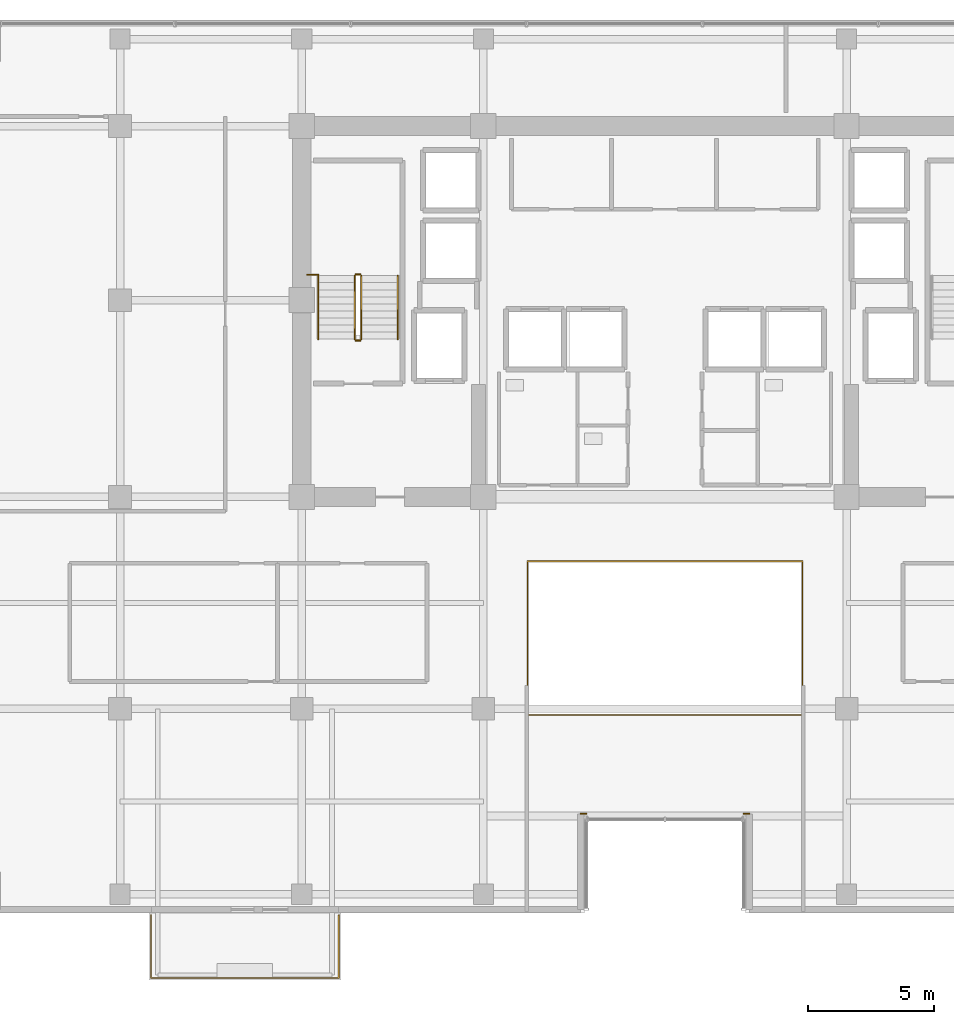
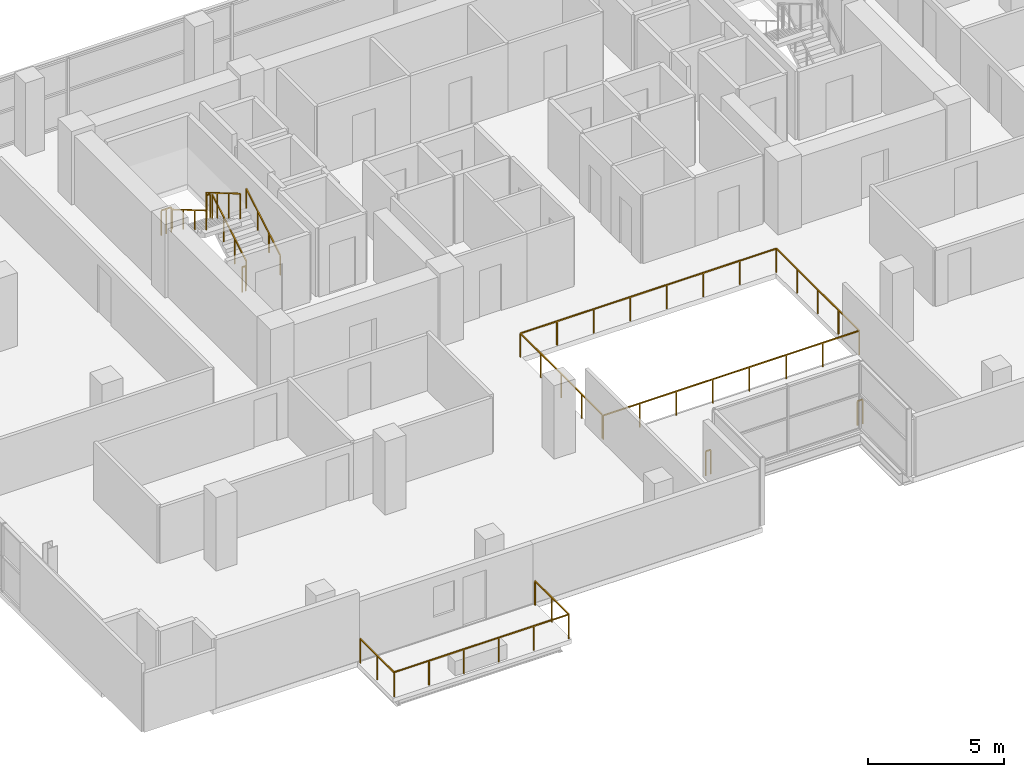
# One storey, part 23 of 25: 11 railings.
"""IFC4 building model written with IfcOpenShell, lengths in metres."""

from ifc_helpers import new_model, si_unit, direction, frame, origin, origin_2d, place, context, subcontext, project, spatial, rectangle, extrude, material, type_object, element, save


model = new_model("IFC4")

# Units and contexts
model_context = context("Model", 3, precision=1e-05, world=origin(), true_north=direction((0.0, 1.0)))
body_context = subcontext(model_context, "Body", "Model", "MODEL_VIEW")
ifc_project = project(units=[si_unit("LENGTHUNIT", "METRE"), si_unit("AREAUNIT", "SQUARE_METRE"), si_unit("VOLUMEUNIT", "CUBIC_METRE"), si_unit("PLANEANGLEUNIT", "RADIAN"), si_unit("MASSUNIT", "GRAM", prefix="KILO")], contexts=[model_context])

# Site, building, storey
site_placement = place(None, origin())
site = spatial("IfcSite", under=ifc_project, at=site_placement, CompositionType="ELEMENT")
building_placement = place(site_placement, origin())
building = spatial("IfcBuilding", under=site, at=building_placement, Name="Zarnakvel Exchange Tower", CompositionType="ELEMENT")
storey_placement = place(building_placement, frame((0.0, 0.0, 93.39990234375)))
storey = spatial("IfcBuildingStorey", under=building, at=storey_placement, Name="L25", CompositionType="ELEMENT", Elevation=93.39990234375)

# Railings
ifc_material_1 = material(Name="Architectural Bronze Anodised Aluminium", Category="aluminium")
railing_type_1 = type_object("IfcRailingType", Name="GR-02", PredefinedType="GUARDRAIL", material=ifc_material_1)
railing_1_placement = place(storey_placement, frame((-20.3701171875, -17.780029296875, -0.034912109375)))
element("IfcRailing", 1, at=railing_1_placement, inside=storey, type_object=railing_type_1, Name="L25 Balcony Guardrail BAL-L25-SW", PredefinedType="GUARDRAIL", context=body_context, shape_type="SweptSolid", body=[
    extrude(rectangle(XDim=0.048095703125, YDim=0.048095703125, at=origin_2d()), frame((0.0, 0.0, 1.09619140625), z_axis=(0.0, -1.0, 0.0), x_axis=(1.0, 0.0, 0.0)), (0.0, 0.0, 1.0), 2.489990234375),
    extrude(rectangle(XDim=0.048095703125, YDim=0.048095703125, at=origin_2d()), frame((0.0, -2.489990234375, 1.09619140625), z_axis=(1.0, 0.0, 0.0), x_axis=(0.0, 1.0, 0.0)), (0.0, 0.0, 1.0), 7.440185546875),
    extrude(rectangle(XDim=0.048095703125, YDim=0.048095703125, at=origin_2d()), frame((7.440185546875, -2.489990234375, 1.09619140625), z_axis=(0.0, 1.0, 0.0), x_axis=(-1.0, 0.0, 0.0)), (0.0, 0.0, 1.0), 2.489990234375),
    extrude(rectangle(XDim=0.0419921875, YDim=0.0419921875, at=origin_2d()), origin(), (0.0, 0.0, 1.0), 1.072021484375),
    extrude(rectangle(XDim=0.0419921875, YDim=0.0419921875, at=origin_2d()), frame((0.0, -1.2451171875, 0.0)), (0.0, 0.0, 1.0), 1.072021484375),
    extrude(rectangle(XDim=0.0419921875, YDim=0.0419921875, at=origin_2d()), frame((0.0, -2.489990234375, 0.0)), (0.0, 0.0, 1.0), 1.072021484375),
    extrude(rectangle(XDim=0.0419921875, YDim=0.0419921875, at=origin_2d()), frame((1.488037109375, -2.489990234375, 0.0)), (0.0, 0.0, 1.0), 1.072021484375),
    extrude(rectangle(XDim=0.0419921875, YDim=0.0419921875, at=origin_2d()), frame((2.97607421875, -2.489990234375, 0.0)), (0.0, 0.0, 1.0), 1.072021484375),
    extrude(rectangle(XDim=0.0419921875, YDim=0.0419921875, at=origin_2d()), frame((4.464111328125, -2.489990234375, 0.0)), (0.0, 0.0, 1.0), 1.072021484375),
    extrude(rectangle(XDim=0.0419921875, YDim=0.0419921875, at=origin_2d()), frame((5.9521484375, -2.489990234375, 0.0)), (0.0, 0.0, 1.0), 1.072021484375),
    extrude(rectangle(XDim=0.0419921875, YDim=0.0419921875, at=origin_2d()), frame((7.440185546875, -2.489990234375, 0.0)), (0.0, 0.0, 1.0), 1.072021484375),
    extrude(rectangle(XDim=0.0419921875, YDim=0.0419921875, at=origin_2d()), frame((7.440185546875, -1.2451171875, 0.0)), (0.0, 0.0, 1.0), 1.072021484375),
    extrude(rectangle(XDim=0.0419921875, YDim=0.0419921875, at=origin_2d()), frame((7.440185546875, 0.0, 0.0)), (0.0, 0.0, 1.0), 1.072021484375),
])
for number, where, name in (
    (2, (3.340087890625, -13.760009765625, 0.0), "L25 Corner Spandrel Balustrade #18"),
    (3, (-3.1201171875, -13.760009765625, 0.0), "L25 Corner Spandrel Balustrade #19"),
):
    element("IfcRailing", number, at=place(storey_placement, frame(where)), inside=storey, type_object=railing_type_1, Name=name, PredefinedType="GUARDRAIL", context=body_context, shape_type="SweptSolid", body=[
        extrude(rectangle(XDim=0.048095703125, YDim=0.048095703125, at=origin_2d()), frame((0.0, 0.0, 1.09619140625), z_axis=(-1.0, 0.0, 0.0), x_axis=(0.0, -1.0, 0.0)), (0.0, 0.0, 1.0), 0.219970703125),
        extrude(rectangle(XDim=0.0419921875, YDim=0.0419921875, at=origin_2d()), origin(), (0.0, 0.0, 1.0), 1.072021484375),
        extrude(rectangle(XDim=0.0419921875, YDim=0.0419921875, at=origin_2d()), frame((-0.219970703125, 0.0, 0.0)), (0.0, 0.0, 1.0), 1.072021484375),
    ])
railing_type_2 = type_object("IfcRailingType", Name="GR-03", PredefinedType="GUARDRAIL", material=ifc_material_1)
railing_2_placement = place(storey_placement, frame((-5.449951171875, -9.85009765625, 0.0)))
element("IfcRailing", 4, at=railing_2_placement, inside=storey, type_object=railing_type_2, Name="L25 Atrium Void Perimeter Balustrade", PredefinedType="GUARDRAIL", context=body_context, shape_type="SweptSolid", body=[
    extrude(rectangle(XDim=0.048095703125, YDim=0.048095703125, at=origin_2d()), frame((0.0, 0.0, 1.076171875), z_axis=(1.0, 0.0, 0.0), x_axis=(0.0, 1.0, 0.0)), (0.0, 0.0, 1.0), 10.89990234375),
    extrude(rectangle(XDim=0.048095703125, YDim=0.048095703125, at=origin_2d()), frame((10.89990234375, 0.0, 1.076171875), z_axis=(0.0, 1.0, 0.0), x_axis=(-1.0, 0.0, 0.0)), (0.0, 0.0, 1.0), 6.10009765625),
    extrude(rectangle(XDim=0.048095703125, YDim=0.048095703125, at=origin_2d()), frame((10.89990234375, 6.10009765625, 1.076171875), z_axis=(-1.0, 0.0, 0.0), x_axis=(0.0, -1.0, 0.0)), (0.0, 0.0, 1.0), 10.89990234375),
    extrude(rectangle(XDim=0.048095703125, YDim=0.048095703125, at=origin_2d()), frame((0.0, 6.10009765625, 1.076171875), z_axis=(0.0, -1.0, 0.0), x_axis=(1.0, 0.0, 0.0)), (0.0, 0.0, 1.0), 6.02001953125),
    extrude(rectangle(XDim=0.0419921875, YDim=0.0419921875, at=origin_2d()), origin(), (0.0, 0.0, 1.0), 1.052001953125),
    extrude(rectangle(XDim=0.0419921875, YDim=0.0419921875, at=origin_2d()), frame((1.55712890625, 0.0, 0.0)), (0.0, 0.0, 1.0), 1.052001953125),
    extrude(rectangle(XDim=0.0419921875, YDim=0.0419921875, at=origin_2d()), frame((3.1142578125, 0.0, 0.0)), (0.0, 0.0, 1.0), 1.052001953125),
    extrude(rectangle(XDim=0.0419921875, YDim=0.0419921875, at=origin_2d()), frame((4.67138671875, 0.0, 0.0)), (0.0, 0.0, 1.0), 1.052001953125),
    extrude(rectangle(XDim=0.0419921875, YDim=0.0419921875, at=origin_2d()), frame((6.228515625, 0.0, 0.0)), (0.0, 0.0, 1.0), 1.052001953125),
    extrude(rectangle(XDim=0.0419921875, YDim=0.0419921875, at=origin_2d()), frame((7.78564453125, 0.0, 0.0)), (0.0, 0.0, 1.0), 1.052001953125),
    extrude(rectangle(XDim=0.0419921875, YDim=0.0419921875, at=origin_2d()), frame((9.3427734375, 0.0, 0.0)), (0.0, 0.0, 1.0), 1.052001953125),
    extrude(rectangle(XDim=0.0419921875, YDim=0.0419921875, at=origin_2d()), frame((10.89990234375, 0.0, 0.0)), (0.0, 0.0, 1.0), 1.052001953125),
    extrude(rectangle(XDim=0.0419921875, YDim=0.0419921875, at=origin_2d()), frame((10.89990234375, 1.52490234375, 0.0)), (0.0, 0.0, 1.0), 1.052001953125),
    extrude(rectangle(XDim=0.0419921875, YDim=0.0419921875, at=origin_2d()), frame((10.89990234375, 3.050048828125, 0.0)), (0.0, 0.0, 1.0), 1.052001953125),
    extrude(rectangle(XDim=0.0419921875, YDim=0.0419921875, at=origin_2d()), frame((10.89990234375, 4.5751953125, 0.0)), (0.0, 0.0, 1.0), 1.052001953125),
    extrude(rectangle(XDim=0.0419921875, YDim=0.0419921875, at=origin_2d()), frame((10.89990234375, 6.10009765625, 0.0)), (0.0, 0.0, 1.0), 1.052001953125),
    extrude(rectangle(XDim=0.0419921875, YDim=0.0419921875, at=origin_2d()), frame((9.3427734375, 6.10009765625, 0.0)), (0.0, 0.0, 1.0), 1.052001953125),
    extrude(rectangle(XDim=0.0419921875, YDim=0.0419921875, at=origin_2d()), frame((7.78564453125, 6.10009765625, 0.0)), (0.0, 0.0, 1.0), 1.052001953125),
    extrude(rectangle(XDim=0.0419921875, YDim=0.0419921875, at=origin_2d()), frame((6.228515625, 6.10009765625, 0.0)), (0.0, 0.0, 1.0), 1.052001953125),
    extrude(rectangle(XDim=0.0419921875, YDim=0.0419921875, at=origin_2d()), frame((4.67138671875, 6.10009765625, 0.0)), (0.0, 0.0, 1.0), 1.052001953125),
    extrude(rectangle(XDim=0.0419921875, YDim=0.0419921875, at=origin_2d()), frame((3.1142578125, 6.10009765625, 0.0)), (0.0, 0.0, 1.0), 1.052001953125),
    extrude(rectangle(XDim=0.0419921875, YDim=0.0419921875, at=origin_2d()), frame((1.55712890625, 6.10009765625, 0.0)), (0.0, 0.0, 1.0), 1.052001953125),
    extrude(rectangle(XDim=0.0419921875, YDim=0.0419921875, at=origin_2d()), frame((0.0, 6.10009765625, 0.0)), (0.0, 0.0, 1.0), 1.052001953125),
    extrude(rectangle(XDim=0.0419921875, YDim=0.0419921875, at=origin_2d()), frame((0.0, 4.59521484375, 0.0)), (0.0, 0.0, 1.0), 1.052001953125),
    extrude(rectangle(XDim=0.0419921875, YDim=0.0419921875, at=origin_2d()), frame((0.0, 3.090087890625, 0.0)), (0.0, 0.0, 1.0), 1.052001953125),
    extrude(rectangle(XDim=0.0419921875, YDim=0.0419921875, at=origin_2d()), frame((0.0, 1.5849609375, 0.0)), (0.0, 0.0, 1.0), 1.052001953125),
    extrude(rectangle(XDim=0.0419921875, YDim=0.0419921875, at=origin_2d()), frame((0.0, 0.080078125, 0.0)), (0.0, 0.0, 1.0), 1.052001953125),
])
ifc_material_2 = material(Name="Brushed Stainless Steel", Category="steel")
railing_type_3 = type_object("IfcRailingType", Name="HR-01", PredefinedType="HANDRAIL", material=ifc_material_2)
railing_3_placement = place(storey_placement, frame((-10.590087890625, 5.050048828125, 0.1650390625)))
element("IfcRailing", 5, at=railing_3_placement, inside=storey, type_object=railing_type_3, Name="L25 ST-01 stair handrail 1", PredefinedType="HANDRAIL", context=body_context, shape_type="SweptSolid", body=[
    extrude(rectangle(XDim=0.048095703125, YDim=0.048095703125, at=origin_2d()), frame((0.0, 0.0, 0.8759765625), z_axis=(0.0, 0.86152411907, 0.507716645641), x_axis=(-1.0, 0.0, 0.0)), (0.0, 0.0, 1.0), 2.925048828125),
    extrude(rectangle(XDim=0.0419921875, YDim=0.0419921875, at=origin_2d()), origin(), (0.0, 0.0, 1.0), 0.851806640625),
    extrude(rectangle(XDim=0.0419921875, YDim=0.0419921875, at=origin_2d()), frame((0.0, 0.840087890625, 0.4951171875)), (0.0, 0.0, 1.0), 0.851806640625),
    extrude(rectangle(XDim=0.0419921875, YDim=0.0419921875, at=origin_2d()), frame((0.0, 1.679931640625, 0.989990234375)), (0.0, 0.0, 1.0), 0.851806640625),
    extrude(rectangle(XDim=0.0419921875, YDim=0.0419921875, at=origin_2d()), frame((0.0, 2.52001953125, 1.485107421875)), (0.0, 0.0, 1.0), 0.851806640625),
])
railing_4_placement = place(storey_placement, frame((-13.75, 7.570068359375, 1.815185546875)))
element("IfcRailing", 6, at=railing_4_placement, inside=storey, type_object=railing_type_3, Name="L25 ST-01 stair handrail 2", PredefinedType="HANDRAIL", context=body_context, shape_type="SweptSolid", body=[
    extrude(rectangle(XDim=0.048095703125, YDim=0.048095703125, at=origin_2d()), frame((0.0, 0.0, 0.8759765625), z_axis=(0.0, -0.861560626758, 0.507654692109), x_axis=(1.0, 0.0, 0.0)), (0.0, 0.0, 1.0), 2.925048828125),
    extrude(rectangle(XDim=0.0419921875, YDim=0.0419921875, at=origin_2d()), origin(), (0.0, 0.0, 1.0), 0.851806640625),
    extrude(rectangle(XDim=0.0419921875, YDim=0.0419921875, at=origin_2d()), frame((0.0, -0.840087890625, 0.494873046875)), (0.0, 0.0, 1.0), 0.851806640625),
    extrude(rectangle(XDim=0.0419921875, YDim=0.0419921875, at=origin_2d()), frame((0.0, -1.679931640625, 0.989990234375)), (0.0, 0.0, 1.0), 0.851806640625),
    extrude(rectangle(XDim=0.0419921875, YDim=0.0419921875, at=origin_2d()), frame((0.0, -2.52001953125, 1.48486328125)), (0.0, 0.0, 1.0), 0.851806640625),
])
railing_type_4 = type_object("IfcRailingType", Name="SG-01", PredefinedType="GUARDRAIL", material=ifc_material_1)
railing_5_placement = place(storey_placement, frame((-12.0400390625, 5.050048828125, 0.1650390625)))
element("IfcRailing", 7, at=railing_5_placement, inside=storey, type_object=railing_type_4, Name="L25 ST-01 stair guard 1", PredefinedType="GUARDRAIL", context=body_context, shape_type="SweptSolid", body=[
    extrude(rectangle(XDim=0.048095703125, YDim=0.048095703125, at=origin_2d()), frame((0.0, 0.0, 1.1259765625), z_axis=(0.0, 0.86152411907, 0.507716645641), x_axis=(-1.0, 0.0, 0.0)), (0.0, 0.0, 1.0), 2.925048828125),
    extrude(rectangle(XDim=0.0419921875, YDim=0.0419921875, at=origin_2d()), origin(), (0.0, 0.0, 1.0), 1.101806640625),
    extrude(rectangle(XDim=0.0419921875, YDim=0.0419921875, at=origin_2d()), frame((0.0, 0.840087890625, 0.4951171875)), (0.0, 0.0, 1.0), 1.101806640625),
    extrude(rectangle(XDim=0.0419921875, YDim=0.0419921875, at=origin_2d()), frame((0.0, 1.679931640625, 0.989990234375)), (0.0, 0.0, 1.0), 1.101806640625),
    extrude(rectangle(XDim=0.0419921875, YDim=0.0419921875, at=origin_2d()), frame((0.0, 2.52001953125, 1.485107421875)), (0.0, 0.0, 1.0), 1.101806640625),
])
railing_6_placement = place(storey_placement, frame((-12.090087890625, 7.6201171875, 1.650146484375)))
element("IfcRailing", 8, at=railing_6_placement, inside=storey, type_object=railing_type_4, Name="L25 ST-01 stair guard 2", PredefinedType="GUARDRAIL", context=body_context, shape_type="SweptSolid", body=[
    extrude(rectangle(XDim=0.048095703125, YDim=0.048095703125, at=origin_2d()), frame((0.0, 0.0, 1.1259765625), z_axis=(-1.0, 0.0, 0.0), x_axis=(0.0, -1.0, 0.0)), (0.0, 0.0, 1.0), 0.159912109375),
    extrude(rectangle(XDim=0.0419921875, YDim=0.0419921875, at=origin_2d()), origin(), (0.0, 0.0, 1.0), 1.101806640625),
    extrude(rectangle(XDim=0.0419921875, YDim=0.0419921875, at=origin_2d()), frame((-0.159912109375, 0.0, 0.0)), (0.0, 0.0, 1.0), 1.101806640625),
])
railing_7_placement = place(storey_placement, frame((-12.300048828125, 7.570068359375, 1.815185546875)))
element("IfcRailing", 9, at=railing_7_placement, inside=storey, type_object=railing_type_4, Name="L25 ST-01 stair guard 3", PredefinedType="GUARDRAIL", context=body_context, shape_type="SweptSolid", body=[
    extrude(rectangle(XDim=0.048095703125, YDim=0.048095703125, at=origin_2d()), frame((0.0, 0.0, 1.1259765625), z_axis=(0.0, -0.861560626758, 0.507654692109), x_axis=(1.0, 0.0, 0.0)), (0.0, 0.0, 1.0), 2.925048828125),
    extrude(rectangle(XDim=0.0419921875, YDim=0.0419921875, at=origin_2d()), origin(), (0.0, 0.0, 1.0), 1.101806640625),
    extrude(rectangle(XDim=0.0419921875, YDim=0.0419921875, at=origin_2d()), frame((0.0, -0.840087890625, 0.494873046875)), (0.0, 0.0, 1.0), 1.101806640625),
    extrude(rectangle(XDim=0.0419921875, YDim=0.0419921875, at=origin_2d()), frame((0.0, -1.679931640625, 0.989990234375)), (0.0, 0.0, 1.0), 1.101806640625),
    extrude(rectangle(XDim=0.0419921875, YDim=0.0419921875, at=origin_2d()), frame((0.0, -2.52001953125, 1.48486328125)), (0.0, 0.0, 1.0), 1.101806640625),
])
railing_8_placement = place(storey_placement, frame((-12.090087890625, 5.0, 0.0)))
element("IfcRailing", 10, at=railing_8_placement, inside=storey, type_object=railing_type_4, Name="L25 ST-01 stair guard 4", PredefinedType="GUARDRAIL", context=body_context, shape_type="SweptSolid", body=[
    extrude(rectangle(XDim=0.048095703125, YDim=0.048095703125, at=origin_2d()), frame((0.0, 0.0, 1.1259765625), z_axis=(-1.0, 0.0, 0.0), x_axis=(0.0, -1.0, 0.0)), (0.0, 0.0, 1.0), 0.159912109375),
    extrude(rectangle(XDim=0.0419921875, YDim=0.0419921875, at=origin_2d()), origin(), (0.0, 0.0, 1.0), 1.101806640625),
    extrude(rectangle(XDim=0.0419921875, YDim=0.0419921875, at=origin_2d()), frame((-0.159912109375, 0.0, 0.0)), (0.0, 0.0, 1.0), 1.101806640625),
])
railing_9_placement = place(storey_placement, frame((-14.179931640625, 7.610107421875, 1.650146484375)))
element("IfcRailing", 11, at=railing_9_placement, inside=storey, type_object=railing_type_4, Name="L25 ST-01 Landing Slot Guardrail", PredefinedType="GUARDRAIL", context=body_context, shape_type="SweptSolid", body=[
    extrude(rectangle(XDim=0.048095703125, YDim=0.048095703125, at=origin_2d()), frame((0.0, 0.0, 1.1259765625), z_axis=(1.0, 0.0, 0.0), x_axis=(0.0, 1.0, 0.0)), (0.0, 0.0, 1.0), 0.429931640625),
    extrude(rectangle(XDim=0.0419921875, YDim=0.0419921875, at=origin_2d()), origin(), (0.0, 0.0, 1.0), 1.101806640625),
    extrude(rectangle(XDim=0.0419921875, YDim=0.0419921875, at=origin_2d()), frame((0.21484375, 0.0, 0.0)), (0.0, 0.0, 1.0), 1.101806640625),
    extrude(rectangle(XDim=0.0419921875, YDim=0.0419921875, at=origin_2d()), frame((0.429931640625, 0.0, 0.0)), (0.0, 0.0, 1.0), 1.101806640625),
])

save(model, "model.ifc")
